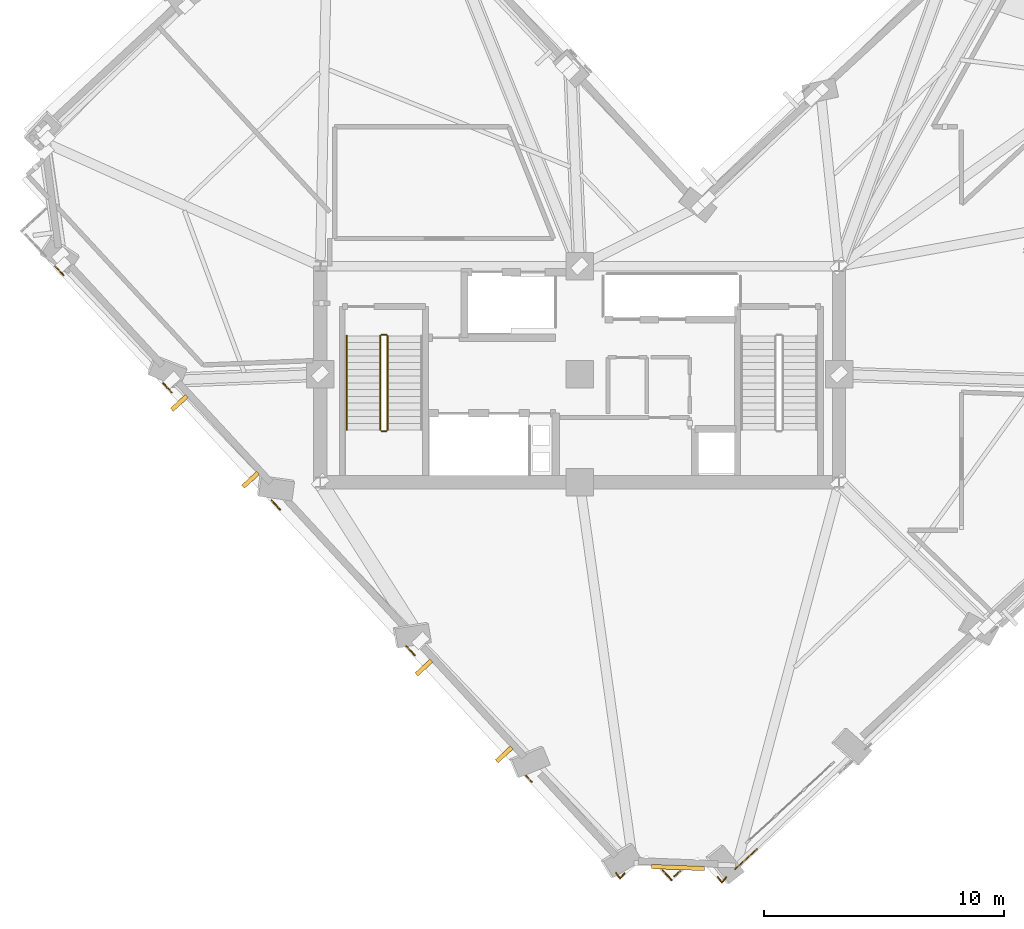
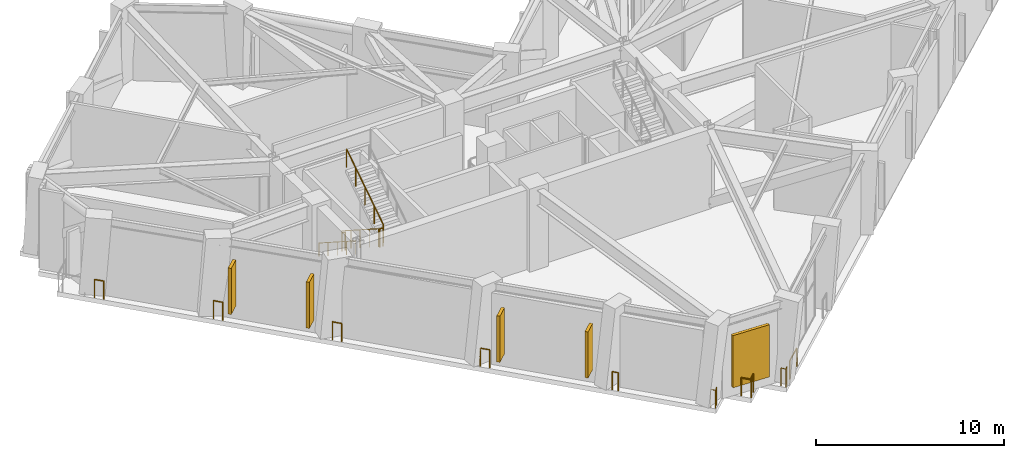
# One storey, part 11 of 15: 15 railings, 5 shading devices.
"""IFC4 building model written with IfcOpenShell, lengths in metres."""

import ifcopenshell
import ifcopenshell.guid

model = None  # the IFC model being written
_history = None  # IfcOwnerHistory: only IFC2X3 demands one
_inside = {}  # id of a spatial element -> (the spatial element, [elements in it])
_under = {}  # id of a project, library or spatial element -> (it, [spatial elements below it])
_declared = {}  # id of a project -> (the project, [libraries it declares])
_typed = {}  # id of a type object -> (the type object, [elements of that type])
_made_of = {}  # id of a material, layer set ... -> (it, [elements and type objects made of it])


def new_model(schema):
    """Start an empty IFC model of exactly this schema.

    Asked for "IFC4X3", IfcOpenShell would pick the latest addendum, in which some entities
    have other attributes; the version numbers below select the first issue.
    IFC2X3 requires an IfcOwnerHistory on every rooted entity: one is made here for all.
    """
    global model, _history
    if schema == "IFC4X3":
        model = ifcopenshell.file(schema_version=(4, 3, 0, 0))
    else:
        model = ifcopenshell.file(schema=schema)
    _inside.clear()
    _under.clear()
    _declared.clear()
    _typed.clear()
    _made_of.clear()
    _history = None
    if model.schema == "IFC2X3":
        org = make("IfcOrganization", Name="unknown")
        user = make(
            "IfcPersonAndOrganization",
            ThePerson=make("IfcPerson", FamilyName="unknown"),
            TheOrganization=org,
        )
        app = make(
            "IfcApplication",
            ApplicationDeveloper=org,
            Version="unknown",
            ApplicationFullName="unknown",
            ApplicationIdentifier="unknown",
        )
        _history = make(
            "IfcOwnerHistory",
            OwningUser=user,
            OwningApplication=app,
            ChangeAction="ADDED",
            CreationDate=0,
        )
    return model


def make(cls, **values):
    """One entity of the class cls with the attributes given. An attribute that is None is left unset."""
    return model.create_entity(
        cls, **{name: value for name, value in values.items() if value is not None}
    )


def rooted(cls, **values):
    """An entity with a GlobalId (a new one), such as an element, a storey or a relation."""
    return make(cls, GlobalId=ifcopenshell.guid.new(), OwnerHistory=_history, **values)


def si_unit(unit_type, name, prefix=None):
    """IfcSIUnit, for example si_unit("LENGTHUNIT", "METRE", prefix="MILLI")."""
    return make("IfcSIUnit", UnitType=unit_type, Prefix=prefix, Name=name)


def assignment(units):
    """IfcUnitAssignment: the units of a project."""
    return None if units is None else make("IfcUnitAssignment", Units=units)


def point(xyz):
    """IfcCartesianPoint."""
    return None if xyz is None else make("IfcCartesianPoint", Coordinates=xyz)


def direction(xyz):
    """IfcDirection."""
    return None if xyz is None else make("IfcDirection", DirectionRatios=xyz)


def frame(location, z_axis=None, x_axis=None):
    """IfcAxis2Placement3D, a coordinate frame: its origin and axes. An axis left out is left unset."""
    return make(
        "IfcAxis2Placement3D",
        Location=point(location),
        Axis=direction(z_axis),
        RefDirection=direction(x_axis),
    )


def frame_2d(location, x_axis=None):
    """IfcAxis2Placement2D, a coordinate frame in the plane: its origin and x axis."""
    return make(
        "IfcAxis2Placement2D", Location=point(location), RefDirection=direction(x_axis)
    )


def origin():
    """The frame at (0, 0, 0) with its axes left unset."""
    return frame((0.0, 0.0, 0.0))


def origin_2d():
    """The frame at (0, 0) in the plane with its x axis left unset."""
    return frame_2d((0.0, 0.0))


def place(relative_to, where):
    """IfcLocalPlacement: puts the frame where relative to a parent placement (None: the world)."""
    return make(
        "IfcLocalPlacement", PlacementRelTo=relative_to, RelativePlacement=where
    )


def context(
    kind, dimensions, precision=None, world=None, true_north=None, identifier=None
):
    """IfcGeometricRepresentationContext, for example the 3D "Model" context."""
    return make(
        "IfcGeometricRepresentationContext",
        ContextIdentifier=identifier,
        ContextType=kind,
        CoordinateSpaceDimension=dimensions,
        Precision=precision,
        WorldCoordinateSystem=world,
        TrueNorth=true_north,
    )


def subcontext(parent, identifier, kind, view, scale=None):
    """IfcGeometricRepresentationSubContext, for example "Body" below "Model"."""
    return make(
        "IfcGeometricRepresentationSubContext",
        ContextIdentifier=identifier,
        ContextType=kind,
        ParentContext=parent,
        TargetScale=scale,
        TargetView=view,
    )


def project(units=None, contexts=None):
    """IfcProject with its units and contexts."""
    return rooted(
        "IfcProject",
        Name="project",
        RepresentationContexts=contexts,
        UnitsInContext=assignment(units),
    )


def spatial(cls, under=None, at=None, **own):
    """A site, building, storey or space (cls), placed at a placement, below another one or the project."""
    s = rooted(cls, ObjectPlacement=at, **own)
    if under is not None:
        _under.setdefault(under.id(), (under, []))[1].append(s)
    return s


def profile(cls, at=None, kind="AREA", **sizes):
    """A parametric profile (cls). Its sizes go by their IFC names, for example OverallWidth=200.0."""
    return make(cls, ProfileType=kind, Position=at, **sizes)


def rectangle(**sizes):
    """IfcRectangleProfileDef."""
    return profile("IfcRectangleProfileDef", **sizes)


def circle(**sizes):
    """IfcCircleProfileDef."""
    return profile("IfcCircleProfileDef", **sizes)


def extrude(swept, where, along, depth):
    """IfcExtrudedAreaSolid: the profile swept, set in the frame where, extruded along a direction by depth."""
    return make(
        "IfcExtrudedAreaSolid",
        SweptArea=swept,
        Position=where,
        ExtrudedDirection=direction(along),
        Depth=depth,
    )


def shape(context_of_items, identifier, shape_type, items):
    """IfcShapeRepresentation: the items that make up one representation, for example the "Body"."""
    return make(
        "IfcShapeRepresentation",
        ContextOfItems=context_of_items,
        RepresentationIdentifier=identifier,
        RepresentationType=shape_type,
        Items=items,
    )


def material(Name=None, Category=None):
    """IfcMaterial."""
    return make("IfcMaterial", Name=Name, Category=Category)


def layer(
    of_material, thickness, ventilated=None, Name=None, Category=None, Priority=None
):
    """IfcMaterialLayer: one layer of a wall or slab, of a material (None: an air gap)."""
    return make(
        "IfcMaterialLayer",
        Material=of_material,
        LayerThickness=thickness,
        IsVentilated=ventilated,
        Name=Name,
        Category=Category,
        Priority=Priority,
    )


def layer_set(layers, Name=None):
    """IfcMaterialLayerSet."""
    return make("IfcMaterialLayerSet", MaterialLayers=layers, LayerSetName=Name)


def made_of(thing, what):
    """Note that an element or type object is made of a material, layer set ...; save() writes the relation."""
    if what is not None:
        _made_of.setdefault(what.id(), (what, []))[1].append(thing)
    return thing


def type_object(cls, material=None, **own):
    """A type object (cls), such as IfcWallType, which elements share."""
    return made_of(rooted(cls, **own), material)


def element(
    cls,
    number,
    at=None,
    inside=None,
    cuts=None,
    type_object=None,
    material=None,
    context=None,
    identifier="Body",
    shape_type=None,
    held_by="IfcProductDefinitionShape",
    body=None,
    shapes=None,
    **own,
):
    """One element of the class cls, such as IfcWall. Its Tag is "e" and its number.

    at: its placement. inside: the storey or other place that contains it. cuts: it is an
    opening in that element (IfcRelVoidsElement). A single representation is given by context,
    identifier, shape_type and body (its items); several are given by shapes. held_by: the class
    of the entity that holds the representations. save() writes the other relations.
    """
    e = rooted(cls, Tag="e%d" % number, ObjectPlacement=at, **own)
    if body is not None:
        shapes = [shape(context, identifier, shape_type, body)]
    if shapes is not None:
        e.Representation = make(held_by, Representations=shapes)
    if inside is not None:
        _inside.setdefault(inside.id(), (inside, []))[1].append(e)
    if cuts is not None:
        rooted(
            "IfcRelVoidsElement", RelatingBuildingElement=cuts, RelatedOpeningElement=e
        )
    if type_object is not None:
        _typed.setdefault(type_object.id(), (type_object, []))[1].append(e)
    return made_of(e, material)


def aggregate(whole, parts):
    """IfcRelAggregates: a whole, such as a stair, and the parts it consists of."""
    return rooted("IfcRelAggregates", RelatingObject=whole, RelatedObjects=parts)


def save(model, path):
    """Write the relations noted so far, then the file.

    IfcRelAggregates (storeys below a building ...), IfcRelContainedInSpatialStructure (elements
    in a storey), IfcRelDefinesByType, IfcRelAssociatesMaterial and IfcRelDeclares: one each for
    every whole, place, type object, material and project.
    """
    for whole, parts in _under.values():
        aggregate(whole, parts)
    for where, things in _inside.values():
        rooted(
            "IfcRelContainedInSpatialStructure",
            RelatedElements=things,
            RelatingStructure=where,
        )
    for kind, things in _typed.values():
        rooted("IfcRelDefinesByType", RelatedObjects=things, RelatingType=kind)
    for what, things in _made_of.values():
        rooted("IfcRelAssociatesMaterial", RelatedObjects=things, RelatingMaterial=what)
    for by, libraries in _declared.values():
        rooted("IfcRelDeclares", RelatingContext=by, RelatedDefinitions=libraries)
    model.write(path)


model = new_model("IFC4")

# Units and contexts
model_context = context("Model", 3, precision=1e-05, world=origin(), true_north=direction((0.0, 1.0)))
body_context = subcontext(model_context, "Body", "Model", "MODEL_VIEW")
ifc_project = project(units=[si_unit("LENGTHUNIT", "METRE"), si_unit("AREAUNIT", "SQUARE_METRE"), si_unit("VOLUMEUNIT", "CUBIC_METRE"), si_unit("PLANEANGLEUNIT", "RADIAN"), si_unit("MASSUNIT", "GRAM", prefix="KILO")], contexts=[model_context])

# Site, building, storey
site_placement = place(None, origin())
site = spatial("IfcSite", under=ifc_project, at=site_placement, CompositionType="ELEMENT")
building_placement = place(site_placement, origin())
building = spatial("IfcBuilding", under=site, at=building_placement, Name="Gaonmaruhae Medical Tower", CompositionType="ELEMENT")
storey_placement = place(building_placement, frame((0.0, 0.0, 205.800048828125)))
storey = spatial("IfcBuildingStorey", under=building, at=storey_placement, Name="L49", CompositionType="ELEMENT", Elevation=205.800048828125)

# Railings
ifc_material_1 = material(Name="Stainless steel 316L and laminated safety glass", Category="steel")
ifc_layer = layer(ifc_material_1, 0.080078125)
ifc_layer_set = layer_set([ifc_layer], Name="Stainless steel 316L and laminated safety glass")
railing_type_1 = type_object("IfcRailingType", Name="GD-120 Outdoor Terrace Safety Glass & Steel Balustrade", PredefinedType="BALUSTRADE", material=ifc_layer_set)
railing_1_placement = place(storey_placement, frame((31.27099609375, -8.306640625, 0.0)))
element("IfcRailing", 1, at=railing_1_placement, inside=storey, type_object=railing_type_1, Name="L49 Perimeter Slab Edge Safety Balustrade 01", PredefinedType="BALUSTRADE", context=body_context, shape_type="SweptSolid", body=[
    extrude(circle(Radius=0.02392578125, at=origin_2d()), frame((0.0, 0.0, 1.17578125), z_axis=(0.734311074584, 0.678813115477, 0.0), x_axis=(-0.678813115477, 0.734311074584, 0.0)), (0.0, 0.0, 1.0), 1.236083984375),
    extrude(circle(Radius=0.02099609375, at=origin_2d()), origin(), (0.0, 0.0, 1.0), 1.15185546875),
    extrude(circle(Radius=0.02099609375, at=origin_2d()), frame((0.90771484375, 0.839111328125, 0.0)), (0.0, 0.0, 1.0), 1.15185546875),
])
for number, where, name in (
    (2, (2.958740234375, 16.801513671875, 0.0), "L49 Perimeter Slab Edge Safety Balustrade 19"),
    (3, (7.46728515625, 11.92431640625, 0.0), "L49 Perimeter Slab Edge Safety Balustrade 20"),
    (4, (11.975830078125, 7.046875, 0.0), "L49 Perimeter Slab Edge Safety Balustrade 21"),
    (5, (17.5810546875, 0.983154296875, 0.0), "L49 Perimeter Slab Edge Safety Balustrade 22"),
):
    element("IfcRailing", number, at=place(storey_placement, frame(where)), inside=storey, type_object=railing_type_1, Name=name, PredefinedType="BALUSTRADE", context=body_context, shape_type="SweptSolid", body=[
        extrude(circle(Radius=0.02392578125, at=origin_2d()), frame((0.0, 0.0, 1.17578125), z_axis=(0.678807452945, -0.734316309111, 0.0), x_axis=(0.734316309111, 0.678807452945, 0.0)), (0.0, 0.0, 1.0), 0.51904296875),
        extrude(circle(Radius=0.02099609375, at=origin_2d()), origin(), (0.0, 0.0, 1.0), 1.15185546875),
        extrude(circle(Radius=0.02099609375, at=origin_2d()), frame((0.352294921875, -0.381103515625, 0.0)), (0.0, 0.0, 1.0), 1.15185546875),
    ])
railing_2_placement = place(storey_placement, frame((22.576904296875, -4.42138671875, 0.0)))
element("IfcRailing", 6, at=railing_2_placement, inside=storey, type_object=railing_type_1, Name="L49 Perimeter Slab Edge Safety Balustrade 23", PredefinedType="BALUSTRADE", context=body_context, shape_type="SweptSolid", body=[
    extrude(circle(Radius=0.02392578125, at=origin_2d()), frame((0.0, 0.0, 1.17578125), z_axis=(0.678906464848, -0.734224769391, 0.0), x_axis=(0.734224769391, 0.678906464848, 0.0)), (0.0, 0.0, 1.0), 0.33984375),
    extrude(circle(Radius=0.02099609375, at=origin_2d()), origin(), (0.0, 0.0, 1.0), 1.15185546875),
    extrude(circle(Radius=0.02099609375, at=origin_2d()), frame((0.230712890625, -0.24951171875, 0.0)), (0.0, 0.0, 1.0), 1.15185546875),
])
railing_3_placement = place(storey_placement, frame((28.256591796875, -8.35595703125, 0.0)))
element("IfcRailing", 7, at=railing_3_placement, inside=storey, type_object=railing_type_1, Name="L49 Perimeter Slab Edge Safety Balustrade 24", PredefinedType="BALUSTRADE", context=body_context, shape_type="SweptSolid", body=[
    extrude(circle(Radius=0.02392578125, at=origin_2d()), frame((0.0, 0.0, 1.17578125), z_axis=(0.678877485512, -0.734251564292, 0.0), x_axis=(0.734251564292, 0.678877485512, 0.0)), (0.0, 0.0, 1.0), 0.559814453125),
    extrude(circle(Radius=0.02099609375, at=origin_2d()), origin(), (0.0, 0.0, 1.0), 1.15185546875),
    extrude(circle(Radius=0.02099609375, at=origin_2d()), frame((0.380126953125, -0.4111328125, 0.0)), (0.0, 0.0, 1.0), 1.15185546875),
])
railing_4_placement = place(storey_placement, frame((28.7373046875, -8.60595703125, 0.0)))
element("IfcRailing", 8, at=railing_4_placement, inside=storey, type_object=railing_type_1, Name="L49 Perimeter Slab Edge Safety Balustrade 25", PredefinedType="BALUSTRADE", context=body_context, shape_type="SweptSolid", body=[
    extrude(circle(Radius=0.02392578125, at=origin_2d()), frame((0.0, 0.0, 1.17578125), z_axis=(0.734574205612, 0.67852836083, 0.0), x_axis=(-0.67852836083, 0.734574205612, 0.0)), (0.0, 0.0, 1.0), 0.32666015625),
    extrude(circle(Radius=0.02099609375, at=origin_2d()), origin(), (0.0, 0.0, 1.0), 1.15185546875),
    extrude(circle(Radius=0.02099609375, at=origin_2d()), frame((0.239990234375, 0.2216796875, 0.0)), (0.0, 0.0, 1.0), 1.15185546875),
])
railing_5_placement = place(storey_placement, frame((30.552734375, -8.630126953125, 0.0)))
element("IfcRailing", 9, at=railing_5_placement, inside=storey, type_object=railing_type_1, Name="L49 Perimeter Corner Safety Balustrade 26", PredefinedType="BALUSTRADE", context=body_context, shape_type="SweptSolid", body=[
    extrude(circle(Radius=0.02392578125, at=origin_2d()), frame((0.0, 0.0, 1.17578125), z_axis=(0.584371948355, -0.811485937017, 0.0), x_axis=(0.811485937017, 0.584371948355, 0.0)), (0.0, 0.0, 1.0), 0.287109375),
    extrude(circle(Radius=0.02392578125, at=origin_2d()), frame((0.167724609375, -0.23291015625, 1.17578125), z_axis=(0.646437785813, 0.762966702467, 0.0), x_axis=(-0.762966702467, 0.646437785813, 0.0)), (0.0, 0.0, 1.0), 0.287109375),
    extrude(circle(Radius=0.02099609375, at=origin_2d()), origin(), (0.0, 0.0, 1.0), 1.15185546875),
    extrude(circle(Radius=0.02099609375, at=origin_2d()), frame((0.167724609375, -0.23291015625, 0.0)), (0.0, 0.0, 1.0), 1.15185546875),
    extrude(circle(Radius=0.02099609375, at=origin_2d()), frame((0.353271484375, -0.013916015625, 0.0)), (0.0, 0.0, 1.0), 1.15185546875),
])
railing_6_placement = place(storey_placement, frame((26.3134765625, -8.46337890625, 0.0)))
element("IfcRailing", 10, at=railing_6_placement, inside=storey, type_object=railing_type_1, Name="L49 Perimeter Corner Safety Balustrade 28", PredefinedType="BALUSTRADE", context=body_context, shape_type="SweptSolid", body=[
    extrude(circle(Radius=0.02392578125, at=origin_2d()), frame((0.0, 0.0, 1.17578125), z_axis=(0.583968785118, -0.811776113228, 0.0), x_axis=(0.811776113228, 0.583968785118, 0.0)), (0.0, 0.0, 1.0), 0.287109375),
    extrude(circle(Radius=0.02392578125, at=origin_2d()), frame((0.167724609375, -0.233154296875, 1.17578125), z_axis=(0.64601844732, 0.763321796965, 0.0), x_axis=(-0.763321796965, 0.64601844732, 0.0)), (0.0, 0.0, 1.0), 0.287109375),
    extrude(circle(Radius=0.02099609375, at=origin_2d()), origin(), (0.0, 0.0, 1.0), 1.15185546875),
    extrude(circle(Radius=0.02099609375, at=origin_2d()), frame((0.167724609375, -0.233154296875, 0.0)), (0.0, 0.0, 1.0), 1.15185546875),
    extrude(circle(Radius=0.02099609375, at=origin_2d()), frame((0.353271484375, -0.013916015625, 0.0)), (0.0, 0.0, 1.0), 1.15185546875),
])
ifc_material_2 = material(Name="Stainless steel 304 handrail", Category="steel")
railing_type_2 = type_object("IfcRailingType", Name="HR-092 Continuous Stainless Steel Stair Handrail", PredefinedType="HANDRAIL", material=ifc_material_2)
railing_7_placement = place(storey_placement, frame((15.10009765625, 13.89990234375, 0.179931640625)))
element("IfcRailing", 11, at=railing_7_placement, inside=storey, type_object=railing_type_2, Name="L49 ST-01 stair handrail 1", PredefinedType="HANDRAIL", context=body_context, shape_type="SweptSolid", body=[
    extrude(circle(Radius=0.02392578125, at=origin_2d()), frame((0.0, 0.0, 0.8759765625), z_axis=(0.0, -0.841171666519, 0.540768182723), x_axis=(1.0, 0.0, 0.0)), (0.0, 0.0, 1.0), 4.66015625),
    extrude(circle(Radius=0.02099609375, at=origin_2d()), origin(), (0.0, 0.0, 1.0), 0.851806640625),
    extrude(circle(Radius=0.02099609375, at=origin_2d()), frame((0.0, -0.97998046875, 0.6298828125)), (0.0, 0.0, 1.0), 0.851806640625),
    extrude(circle(Radius=0.02099609375, at=origin_2d()), frame((0.0, -1.9599609375, 1.260009765625)), (0.0, 0.0, 1.0), 0.851806640625),
    extrude(circle(Radius=0.02099609375, at=origin_2d()), frame((0.0, -2.93994140625, 1.89013671875)), (0.0, 0.0, 1.0), 0.851806640625),
    extrude(circle(Radius=0.02099609375, at=origin_2d()), frame((0.0, -3.919921875, 2.52001953125)), (0.0, 0.0, 1.0), 0.851806640625),
])

# Shading devices
ifc_material_3 = material(Name="Pigmented coral precast concrete C45/55", Category="concrete")
shading_device_type_1 = type_object("IfcShadingDeviceType", Name="SD-FIN1 Tower Vertical Coral Precast Shading Fin", PredefinedType="USERDEFINED", material=ifc_material_3)
for number, where, z_axis, x_axis, name in (
    (12, (11.095703125, 7.9033203125, 0.83251953125), (0.0, 0.0, 1.0), (-0.678800745533, 0.734322509436, 0.0), "L49 Vertical Coral Precast Shading Fin W02"),
    (13, (8.134521484375, 11.1064453125, 0.83251953125), (0.0, 0.0, 1.0), (-0.678800745533, 0.734322509436, 0.0), "L49 Vertical Coral Precast Shading Fin W02B"),
    (14, (21.6591796875, -3.5244140625, 0.83251953125), (0.0, 0.0, 1.0), (-0.678800745533, 0.734322509436, 0.0), "L49 Vertical Coral Precast Shading Fin W04"),
    (15, (18.317138671875, 0.091064453125, 0.83251953125), (0.0, 0.0, 1.0), (-0.678800745533, 0.734322509436, 0.0), "L49 Vertical Coral Precast Shading Fin W04B"),
):
    element("IfcShadingDevice", number, at=place(storey_placement, frame(where, z_axis=z_axis, x_axis=x_axis)), inside=storey, type_object=shading_device_type_1, Name=name, ObjectType="FIN", PredefinedType="USERDEFINED", context=body_context, shape_type="SweptSolid", body=[
        extrude(rectangle(XDim=0.179931640625, YDim=0.85009765625, at=origin_2d()), origin(), (0.0, 0.0, 1.0), 3.0),
    ])
ifc_material_4 = material(Name="Anodised aluminium louvre", Category="aluminium")
shading_device_type_2 = type_object("IfcShadingDeviceType", Name="SD-LVR2 Refuge Mechanical Acoustic Louvre", PredefinedType="USERDEFINED", material=ifc_material_4)
shading_device_placement = place(storey_placement, frame((28.89501953125, -8.2373046875, 0.632568359375), z_axis=(0.0, 0.0, 1.0), x_axis=(-0.999228350875, 0.03927725559, 0.0)))
element("IfcShadingDevice", 16, at=shading_device_placement, inside=storey, type_object=shading_device_type_2, Name="L49 Refuge Mechanical Louvre W06", ObjectType="LOUVRE", PredefinedType="USERDEFINED", context=body_context, shape_type="SweptSolid", body=[
    extrude(rectangle(XDim=2.199951171875, YDim=0.179931640625, at=origin_2d()), origin(), (0.0, 0.0, 1.0), 3.39990234375),
])

# Railings
ifc_material_5 = material(Name="Stainless steel 304 balustrade", Category="steel")
railing_type_3 = type_object("IfcRailingType", Name="SG-112 Stair Well & Ramp Void Safety Balustrade", PredefinedType="BALUSTRADE", material=ifc_material_5)
railing_8_placement = place(storey_placement, frame((16.5, 13.89990234375, 0.179931640625)))
element("IfcRailing", 17, at=railing_8_placement, inside=storey, type_object=railing_type_3, Name="L49 ST-01 stair guard 1", PredefinedType="BALUSTRADE", context=body_context, shape_type="SweptSolid", body=[
    extrude(circle(Radius=0.02392578125, at=origin_2d()), frame((0.0, 0.0, 1.17578125), z_axis=(0.0, -0.841171666519, 0.540768182723), x_axis=(1.0, 0.0, 0.0)), (0.0, 0.0, 1.0), 4.66015625),
    extrude(circle(Radius=0.02099609375, at=origin_2d()), origin(), (0.0, 0.0, 1.0), 1.15185546875),
    extrude(circle(Radius=0.02099609375, at=origin_2d()), frame((0.0, -0.97998046875, 0.6298828125)), (0.0, 0.0, 1.0), 1.15185546875),
    extrude(circle(Radius=0.02099609375, at=origin_2d()), frame((0.0, -1.9599609375, 1.260009765625)), (0.0, 0.0, 1.0), 1.15185546875),
    extrude(circle(Radius=0.02099609375, at=origin_2d()), frame((0.0, -2.93994140625, 1.89013671875)), (0.0, 0.0, 1.0), 1.15185546875),
    extrude(circle(Radius=0.02099609375, at=origin_2d()), frame((0.0, -3.919921875, 2.52001953125)), (0.0, 0.0, 1.0), 1.15185546875),
])
railing_9_placement = place(storey_placement, frame((16.550048828125, 9.929931640625, 2.699951171875)))
element("IfcRailing", 18, at=railing_9_placement, inside=storey, type_object=railing_type_3, Name="L49 ST-01 stair guard 2", PredefinedType="BALUSTRADE", context=body_context, shape_type="SweptSolid", body=[
    extrude(circle(Radius=0.02392578125, at=origin_2d()), frame((0.0, 0.0, 1.17578125), z_axis=(1.0, 0.0, 0.0), x_axis=(0.0, 1.0, 0.0)), (0.0, 0.0, 1.0), 0.199951171875),
    extrude(circle(Radius=0.02099609375, at=origin_2d()), origin(), (0.0, 0.0, 1.0), 1.15185546875),
    extrude(circle(Radius=0.02099609375, at=origin_2d()), frame((0.199951171875, 0.0, 0.0)), (0.0, 0.0, 1.0), 1.15185546875),
])
railing_10_placement = place(storey_placement, frame((16.800048828125, 9.97998046875, 2.8798828125)))
element("IfcRailing", 19, at=railing_10_placement, inside=storey, type_object=railing_type_3, Name="L49 ST-01 stair guard 3", PredefinedType="BALUSTRADE", context=body_context, shape_type="SweptSolid", body=[
    extrude(circle(Radius=0.02392578125, at=origin_2d()), frame((0.0, 0.0, 1.17578125), z_axis=(0.0, 0.841171666519, 0.540768182723), x_axis=(-1.0, 0.0, 0.0)), (0.0, 0.0, 1.0), 4.66015625),
    extrude(circle(Radius=0.02099609375, at=origin_2d()), origin(), (0.0, 0.0, 1.0), 1.15185546875),
    extrude(circle(Radius=0.02099609375, at=origin_2d()), frame((0.0, 0.97998046875, 0.6298828125)), (0.0, 0.0, 1.0), 1.15185546875),
    extrude(circle(Radius=0.02099609375, at=origin_2d()), frame((0.0, 1.9599609375, 1.260009765625)), (0.0, 0.0, 1.0), 1.15185546875),
    extrude(circle(Radius=0.02099609375, at=origin_2d()), frame((0.0, 2.93994140625, 1.89013671875)), (0.0, 0.0, 1.0), 1.15185546875),
    extrude(circle(Radius=0.02099609375, at=origin_2d()), frame((0.0, 3.919921875, 2.52001953125)), (0.0, 0.0, 1.0), 1.15185546875),
])
railing_11_placement = place(storey_placement, frame((16.550048828125, 13.949951171875, 0.0)))
element("IfcRailing", 20, at=railing_11_placement, inside=storey, type_object=railing_type_3, Name="L49 ST-01 stair guard 4", PredefinedType="BALUSTRADE", context=body_context, shape_type="SweptSolid", body=[
    extrude(circle(Radius=0.02392578125, at=origin_2d()), frame((0.0, 0.0, 1.17578125), z_axis=(1.0, 0.0, 0.0), x_axis=(0.0, 1.0, 0.0)), (0.0, 0.0, 1.0), 0.199951171875),
    extrude(circle(Radius=0.02099609375, at=origin_2d()), origin(), (0.0, 0.0, 1.0), 1.15185546875),
    extrude(circle(Radius=0.02099609375, at=origin_2d()), frame((0.199951171875, 0.0, 0.0)), (0.0, 0.0, 1.0), 1.15185546875),
])

save(model, "model.ifc")
